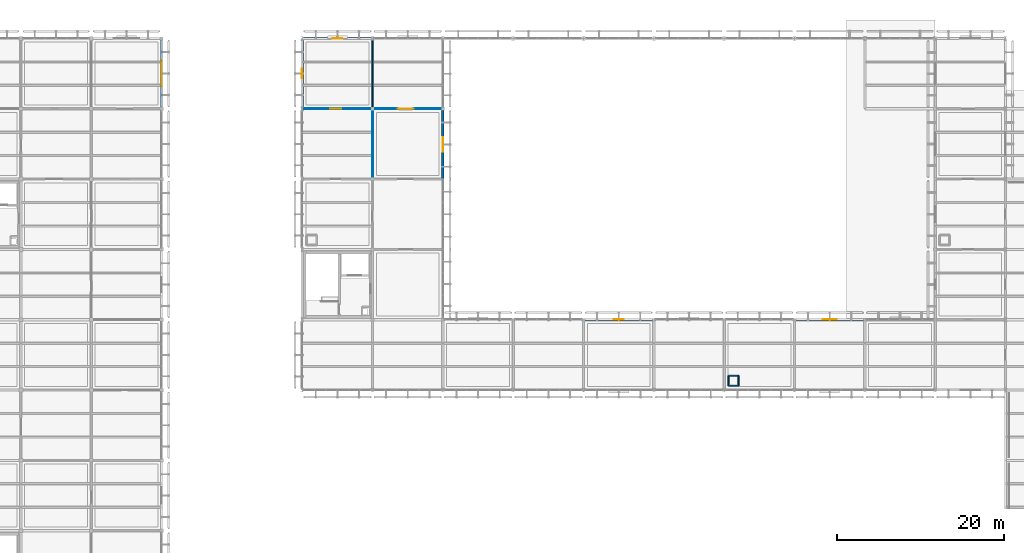
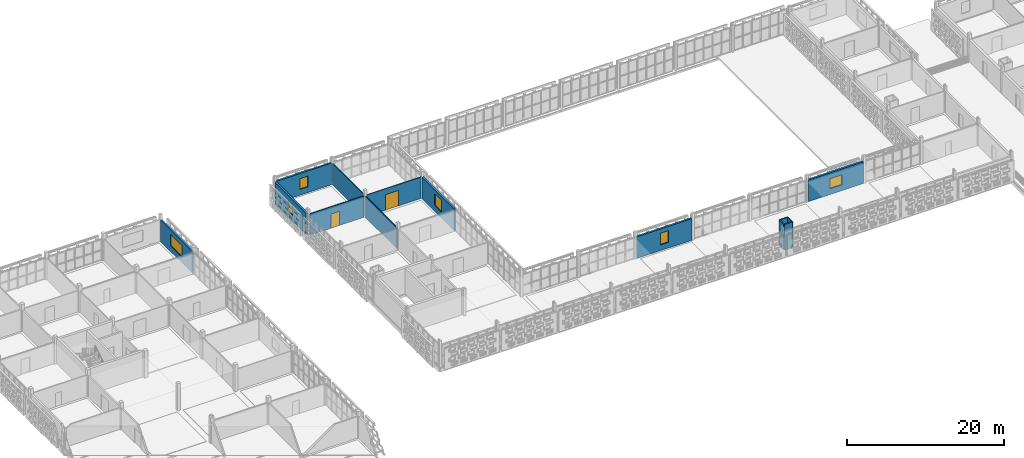
# One storey, part 88 of 140: 14 walls, 6 windows, 2 doors, 8 openings.
"""IFC4 building model written with IfcOpenShell, lengths in metres."""

import ifcopenshell
import ifcopenshell.guid

model = None  # the IFC model being written
_history = None  # IfcOwnerHistory: only IFC2X3 demands one
_inside = {}  # id of a spatial element -> (the spatial element, [elements in it])
_under = {}  # id of a project, library or spatial element -> (it, [spatial elements below it])
_declared = {}  # id of a project -> (the project, [libraries it declares])
_typed = {}  # id of a type object -> (the type object, [elements of that type])
_made_of = {}  # id of a material, layer set ... -> (it, [elements and type objects made of it])


def new_model(schema):
    """Start an empty IFC model of exactly this schema.

    Asked for "IFC4X3", IfcOpenShell would pick the latest addendum, in which some entities
    have other attributes; the version numbers below select the first issue.
    IFC2X3 requires an IfcOwnerHistory on every rooted entity: one is made here for all.
    """
    global model, _history
    if schema == "IFC4X3":
        model = ifcopenshell.file(schema_version=(4, 3, 0, 0))
    else:
        model = ifcopenshell.file(schema=schema)
    _inside.clear()
    _under.clear()
    _declared.clear()
    _typed.clear()
    _made_of.clear()
    _history = None
    if model.schema == "IFC2X3":
        org = make("IfcOrganization", Name="unknown")
        user = make(
            "IfcPersonAndOrganization",
            ThePerson=make("IfcPerson", FamilyName="unknown"),
            TheOrganization=org,
        )
        app = make(
            "IfcApplication",
            ApplicationDeveloper=org,
            Version="unknown",
            ApplicationFullName="unknown",
            ApplicationIdentifier="unknown",
        )
        _history = make(
            "IfcOwnerHistory",
            OwningUser=user,
            OwningApplication=app,
            ChangeAction="ADDED",
            CreationDate=0,
        )
    return model


def make(cls, **values):
    """One entity of the class cls with the attributes given. An attribute that is None is left unset."""
    return model.create_entity(
        cls, **{name: value for name, value in values.items() if value is not None}
    )


def rooted(cls, **values):
    """An entity with a GlobalId (a new one), such as an element, a storey or a relation."""
    return make(cls, GlobalId=ifcopenshell.guid.new(), OwnerHistory=_history, **values)


def si_unit(unit_type, name, prefix=None):
    """IfcSIUnit, for example si_unit("LENGTHUNIT", "METRE", prefix="MILLI")."""
    return make("IfcSIUnit", UnitType=unit_type, Prefix=prefix, Name=name)


def assignment(units):
    """IfcUnitAssignment: the units of a project."""
    return None if units is None else make("IfcUnitAssignment", Units=units)


def point(xyz):
    """IfcCartesianPoint."""
    return None if xyz is None else make("IfcCartesianPoint", Coordinates=xyz)


def direction(xyz):
    """IfcDirection."""
    return None if xyz is None else make("IfcDirection", DirectionRatios=xyz)


def frame(location, z_axis=None, x_axis=None):
    """IfcAxis2Placement3D, a coordinate frame: its origin and axes. An axis left out is left unset."""
    return make(
        "IfcAxis2Placement3D",
        Location=point(location),
        Axis=direction(z_axis),
        RefDirection=direction(x_axis),
    )


def frame_2d(location, x_axis=None):
    """IfcAxis2Placement2D, a coordinate frame in the plane: its origin and x axis."""
    return make(
        "IfcAxis2Placement2D", Location=point(location), RefDirection=direction(x_axis)
    )


def origin():
    """The frame at (0, 0, 0) with its axes left unset."""
    return frame((0.0, 0.0, 0.0))


def place(relative_to, where):
    """IfcLocalPlacement: puts the frame where relative to a parent placement (None: the world)."""
    return make(
        "IfcLocalPlacement", PlacementRelTo=relative_to, RelativePlacement=where
    )


def context(
    kind, dimensions, precision=None, world=None, true_north=None, identifier=None
):
    """IfcGeometricRepresentationContext, for example the 3D "Model" context."""
    return make(
        "IfcGeometricRepresentationContext",
        ContextIdentifier=identifier,
        ContextType=kind,
        CoordinateSpaceDimension=dimensions,
        Precision=precision,
        WorldCoordinateSystem=world,
        TrueNorth=true_north,
    )


def subcontext(parent, identifier, kind, view, scale=None):
    """IfcGeometricRepresentationSubContext, for example "Body" below "Model"."""
    return make(
        "IfcGeometricRepresentationSubContext",
        ContextIdentifier=identifier,
        ContextType=kind,
        ParentContext=parent,
        TargetScale=scale,
        TargetView=view,
    )


def project(units=None, contexts=None):
    """IfcProject with its units and contexts."""
    return rooted(
        "IfcProject",
        Name="project",
        RepresentationContexts=contexts,
        UnitsInContext=assignment(units),
    )


def spatial(cls, under=None, at=None, **own):
    """A site, building, storey or space (cls), placed at a placement, below another one or the project."""
    s = rooted(cls, ObjectPlacement=at, **own)
    if under is not None:
        _under.setdefault(under.id(), (under, []))[1].append(s)
    return s


def profile(cls, at=None, kind="AREA", **sizes):
    """A parametric profile (cls). Its sizes go by their IFC names, for example OverallWidth=200.0."""
    return make(cls, ProfileType=kind, Position=at, **sizes)


def rectangle(**sizes):
    """IfcRectangleProfileDef."""
    return profile("IfcRectangleProfileDef", **sizes)


def extrude(swept, where, along, depth):
    """IfcExtrudedAreaSolid: the profile swept, set in the frame where, extruded along a direction by depth."""
    return make(
        "IfcExtrudedAreaSolid",
        SweptArea=swept,
        Position=where,
        ExtrudedDirection=direction(along),
        Depth=depth,
    )


def shape(context_of_items, identifier, shape_type, items):
    """IfcShapeRepresentation: the items that make up one representation, for example the "Body"."""
    return make(
        "IfcShapeRepresentation",
        ContextOfItems=context_of_items,
        RepresentationIdentifier=identifier,
        RepresentationType=shape_type,
        Items=items,
    )


def material(Name=None, Category=None):
    """IfcMaterial."""
    return make("IfcMaterial", Name=Name, Category=Category)


def layer(
    of_material, thickness, ventilated=None, Name=None, Category=None, Priority=None
):
    """IfcMaterialLayer: one layer of a wall or slab, of a material (None: an air gap)."""
    return make(
        "IfcMaterialLayer",
        Material=of_material,
        LayerThickness=thickness,
        IsVentilated=ventilated,
        Name=Name,
        Category=Category,
        Priority=Priority,
    )


def layer_set(layers, Name=None):
    """IfcMaterialLayerSet."""
    return make("IfcMaterialLayerSet", MaterialLayers=layers, LayerSetName=Name)


def made_of(thing, what):
    """Note that an element or type object is made of a material, layer set ...; save() writes the relation."""
    if what is not None:
        _made_of.setdefault(what.id(), (what, []))[1].append(thing)
    return thing


def type_object(cls, material=None, **own):
    """A type object (cls), such as IfcWallType, which elements share."""
    return made_of(rooted(cls, **own), material)


def element(
    cls,
    number,
    at=None,
    inside=None,
    cuts=None,
    type_object=None,
    material=None,
    context=None,
    identifier="Body",
    shape_type=None,
    held_by="IfcProductDefinitionShape",
    body=None,
    shapes=None,
    **own,
):
    """One element of the class cls, such as IfcWall. Its Tag is "e" and its number.

    at: its placement. inside: the storey or other place that contains it. cuts: it is an
    opening in that element (IfcRelVoidsElement). A single representation is given by context,
    identifier, shape_type and body (its items); several are given by shapes. held_by: the class
    of the entity that holds the representations. save() writes the other relations.
    """
    e = rooted(cls, Tag="e%d" % number, ObjectPlacement=at, **own)
    if body is not None:
        shapes = [shape(context, identifier, shape_type, body)]
    if shapes is not None:
        e.Representation = make(held_by, Representations=shapes)
    if inside is not None:
        _inside.setdefault(inside.id(), (inside, []))[1].append(e)
    if cuts is not None:
        rooted(
            "IfcRelVoidsElement", RelatingBuildingElement=cuts, RelatedOpeningElement=e
        )
    if type_object is not None:
        _typed.setdefault(type_object.id(), (type_object, []))[1].append(e)
    return made_of(e, material)


def fill(opening, filler):
    """IfcRelFillsElement: the door or window that sits in an opening."""
    return rooted(
        "IfcRelFillsElement",
        RelatingOpeningElement=opening,
        RelatedBuildingElement=filler,
    )


def aggregate(whole, parts):
    """IfcRelAggregates: a whole, such as a stair, and the parts it consists of."""
    return rooted("IfcRelAggregates", RelatingObject=whole, RelatedObjects=parts)


def save(model, path):
    """Write the relations noted so far, then the file.

    IfcRelAggregates (storeys below a building ...), IfcRelContainedInSpatialStructure (elements
    in a storey), IfcRelDefinesByType, IfcRelAssociatesMaterial and IfcRelDeclares: one each for
    every whole, place, type object, material and project.
    """
    for whole, parts in _under.values():
        aggregate(whole, parts)
    for where, things in _inside.values():
        rooted(
            "IfcRelContainedInSpatialStructure",
            RelatedElements=things,
            RelatingStructure=where,
        )
    for kind, things in _typed.values():
        rooted("IfcRelDefinesByType", RelatedObjects=things, RelatingType=kind)
    for what, things in _made_of.values():
        rooted("IfcRelAssociatesMaterial", RelatedObjects=things, RelatingMaterial=what)
    for by, libraries in _declared.values():
        rooted("IfcRelDeclares", RelatingContext=by, RelatedDefinitions=libraries)
    model.write(path)


model = new_model("IFC4")

# Units and contexts
model_context = context("Model", 3, precision=1e-05, world=origin(), true_north=direction((0.0, 1.0)))
body_context = subcontext(model_context, "Body", "Model", "MODEL_VIEW")
ifc_project = project(units=[si_unit("LENGTHUNIT", "METRE"), si_unit("AREAUNIT", "SQUARE_METRE"), si_unit("VOLUMEUNIT", "CUBIC_METRE"), si_unit("PLANEANGLEUNIT", "RADIAN"), si_unit("MASSUNIT", "GRAM", prefix="KILO")], contexts=[model_context])

# Site, building, storey
site_placement = place(None, origin())
site = spatial("IfcSite", under=ifc_project, at=site_placement, CompositionType="ELEMENT")
building_placement = place(site_placement, origin())
building = spatial("IfcBuilding", under=site, at=building_placement, Name="Varnapada Polytechnic", CompositionType="ELEMENT")
storey_placement = place(building_placement, frame((0.0, 0.0, 13.800048828125)))
storey = spatial("IfcBuildingStorey", under=building, at=storey_placement, Name="L03", CompositionType="ELEMENT", Elevation=13.800048828125)

# Walls
ifc_material_1 = material(Name="Autoclaved Aerated Concrete Block AAC-600", Category="concrete")
ifc_layer_1 = layer(ifc_material_1, 0.14990234375)
ifc_layer_set_1 = layer_set([ifc_layer_1], Name="Autoclaved Aerated Concrete Block AAC-600")
wall_type_1 = type_object("IfcWallType", Name="Interior Wall IW-02", PredefinedType="PARTITIONING", material=ifc_layer_set_1)
for number, where, z_axis, x_axis, name in (
    (1, (101.320068359375, 84.52001953125, 0.0), (0.0, 0.0, 1.0), (1.0, 0.0, 0.0), "L03 enclosed service riser wall (13,11) S"),
    (2, (102.52001953125, 84.52001953125, 0.0), (0.0, 0.0, 1.0), (0.0, 1.0, 0.0), "L03 enclosed service riser wall (13,11) E"),
    (3, (102.52001953125, 85.719970703125, 0.0), (0.0, 0.0, 1.0), (-1.0, 0.0, 0.0), "L03 enclosed service riser wall (13,11) N"),
    (4, (101.320068359375, 85.719970703125, 0.0), (0.0, 0.0, 1.0), (0.0, -1.0, 0.0), "L03 enclosed service riser wall (13,11) W"),
):
    element("IfcWall", number, at=place(storey_placement, frame(where, z_axis=z_axis, x_axis=x_axis)), inside=storey, type_object=wall_type_1, Name=name, PredefinedType="PARTITIONING", context=body_context, shape_type="SweptSolid", body=[
        extrude(rectangle(XDim=1.199951171875, YDim=0.14990234375, at=frame_2d((0.60009765625, 0.0))), origin(), (0.0, 0.0, 1.0), 3.97998046875),
    ])
ifc_material_2 = material(Name="Glazed Timber-Framed Studio Screen", Category="wood")
ifc_layer_2 = layer(ifc_material_2, 0.110107421875)
ifc_layer_set_2 = layer_set([ifc_layer_2], Name="Glazed Timber-Framed Studio Screen")
wall_type_2 = type_object("IfcWallType", Name="Interior Wall IW-07", PredefinedType="PARTITIONING", material=ifc_layer_set_2)
wall_1_placement = place(storey_placement, frame((58.800048828125, 109.389892578125, 0.0), z_axis=(0.0, 0.0, 1.0), x_axis=(0.0, 1.0, 0.0)))
element("IfcWall", 5, at=wall_1_placement, inside=storey, type_object=wall_type_2, Name="L03 interior partition IW-L03-06-13-V", PredefinedType="PARTITIONING", context=body_context, shape_type="SweptSolid", body=[
    extrude(rectangle(XDim=8.010009765625, YDim=0.110107421875, at=frame_2d((4.0048828125, 0.0))), origin(), (0.0, 0.0, 1.0), 3.320068359375),
])

# Wall, opening, door
ifc_material_3 = material(Name="Operable Acoustic Seminar Partition")
ifc_layer_3 = layer(ifc_material_3, 0.10009765625)
ifc_layer_set_3 = layer_set([ifc_layer_3], Name="Operable Acoustic Seminar Partition")
wall_type_3 = type_object("IfcWallType", Name="Interior Wall IW-08", PredefinedType="MOVABLE", material=ifc_layer_set_3)
wall_2_placement = place(storey_placement, frame((50.64501953125, 117.60009765625, 0.0), z_axis=(0.0, 0.0, 1.0), x_axis=(1.0, 0.0, 0.0)))
wall_2 = element("IfcWall", 6, at=wall_2_placement, inside=storey, type_object=wall_type_3, Name="L03 interior partition IW-L03-06-13-H", PredefinedType="MOVABLE", context=body_context, shape_type="SweptSolid", body=[
    extrude(rectangle(XDim=7.955078125, YDim=0.10009765625, at=frame_2d((3.9775390625, 0.0))), origin(), (0.0, 0.0, 1.0), 3.320068359375),
])
opening_1_placement = place(wall_2_placement, frame((3.10009765625, 0.0, 0.0)))
opening_1 = element("IfcOpeningElement", 7, at=opening_1_placement, cuts=wall_2, Name="Opening D-1233", PredefinedType="OPENING", context=body_context, shape_type="SweptSolid", body=[
    extrude(rectangle(XDim=1.300048828125, YDim=2.199951171875, at=frame_2d((0.64990234375, 1.10009765625))), frame((0.0, 0.06005859375, 0.0), z_axis=(0.0, -1.0, 0.0), x_axis=(1.0, 0.0, 0.0)), (0.0, 0.0, 1.0), 0.1201171875),
])
ifc_material_4 = material(Name="Acoustic Laminated Timber Leaf", Category="wood")
door_type_1 = type_object("IfcDoorType", Name="Interior Door ID-11", OperationType="NOTDEFINED", PredefinedType="DOOR", material=ifc_material_4)
door_1_placement = place(opening_1_placement, origin())
door_1 = element("IfcDoor", 8, at=door_1_placement, inside=storey, type_object=door_type_1, Name="L03 interior room door D-1233", OperationType="SINGLE_SWING_RIGHT", OverallHeight=2.199951171875, OverallWidth=1.300048828125, PredefinedType="DOOR", context=body_context, shape_type="SweptSolid", body=[
    extrude(rectangle(XDim=1.300048828125, YDim=2.199951171875, at=frame_2d((0.64990234375, 1.10009765625))), frame((0.0, 0.02490234375, 0.0), z_axis=(0.0, -1.0, 0.0), x_axis=(1.0, 0.0, 0.0)), (0.0, 0.0, 1.0), 0.050048828125),
])
fill(opening_1, door_1)

# Wall
ifc_material_5 = material(Name="Calcium Silicate Acoustic Lab Partition")
ifc_layer_4 = layer(ifc_material_5, 0.135009765625)
ifc_layer_set_4 = layer_set([ifc_layer_4], Name="Calcium Silicate Acoustic Lab Partition")
wall_type_4 = type_object("IfcWallType", Name="Interior Wall IW-09", PredefinedType="PARTITIONING", material=ifc_layer_set_4)
wall_3_placement = place(storey_placement, frame((58.800048828125, 117.800048828125, 0.0), z_axis=(0.0, 0.0, 1.0), x_axis=(0.0, 1.0, 0.0)))
element("IfcWall", 9, at=wall_3_placement, inside=storey, type_object=wall_type_4, Name="L03 interior partition IW-L03-06-14-V", PredefinedType="PARTITIONING", context=body_context, shape_type="SweptSolid", body=[
    extrude(rectangle(XDim=7.954833984375, YDim=0.135009765625, at=frame_2d((3.9775390625, 0.0))), origin(), (0.0, 0.0, 1.0), 3.320068359375),
])

# Wall, opening, door
ifc_material_6 = material(Name="Timber-Stud Studio Critique Partition", Category="wood")
ifc_layer_5 = layer(ifc_material_6, 0.114990234375)
ifc_layer_set_5 = layer_set([ifc_layer_5], Name="Timber-Stud Studio Critique Partition")
wall_type_5 = type_object("IfcWallType", Name="Interior Wall IW-12", PredefinedType="PARTITIONING", material=ifc_layer_set_5)
wall_4_placement = place(storey_placement, frame((59.0, 117.60009765625, 0.0), z_axis=(0.0, 0.0, 1.0), x_axis=(1.0, 0.0, 0.0)))
wall_4 = element("IfcWall", 10, at=wall_4_placement, inside=storey, type_object=wall_type_5, Name="L03 interior partition IW-L03-07-13-H", PredefinedType="PARTITIONING", context=body_context, shape_type="SweptSolid", body=[
    extrude(rectangle(XDim=8.0, YDim=0.114990234375, at=frame_2d((4.0, 0.0))), origin(), (0.0, 0.0, 1.0), 3.320068359375),
])
opening_2_placement = place(wall_4_placement, frame((2.800048828125, 0.0, 0.0)))
opening_2 = element("IfcOpeningElement", 11, at=opening_2_placement, cuts=wall_4, Name="Opening D-1236", PredefinedType="OPENING", context=body_context, shape_type="SweptSolid", body=[
    extrude(rectangle(XDim=1.89990234375, YDim=2.39990234375, at=frame_2d((0.949951171875, 1.199951171875))), frame((0.0, 0.0673828125, 0.0), z_axis=(0.0, -1.0, 0.0), x_axis=(1.0, 0.0, 0.0)), (0.0, 0.0, 1.0), 0.135009765625),
])
ifc_material_7 = material(Name="Heavy Workshop Double Steel Door", Category="steel")
door_type_2 = type_object("IfcDoorType", Name="Interior Door ID-14", OperationType="NOTDEFINED", PredefinedType="DOOR", material=ifc_material_7)
door_2_placement = place(opening_2_placement, origin())
door_2 = element("IfcDoor", 12, at=door_2_placement, inside=storey, type_object=door_type_2, Name="L03 interior room door D-1236", OperationType="SINGLE_SWING_LEFT", OverallHeight=2.39990234375, OverallWidth=1.89990234375, PredefinedType="DOOR", context=body_context, shape_type="SweptSolid", body=[
    extrude(rectangle(XDim=1.89990234375, YDim=2.39990234375, at=frame_2d((0.949951171875, 1.199951171875))), frame((0.0, 0.02490234375, 0.0), z_axis=(0.0, -1.0, 0.0), x_axis=(1.0, 0.0, 0.0)), (0.0, 0.0, 1.0), 0.050048828125),
])
fill(opening_2, door_2)

# Wall, opening, window
ifc_material_8 = material(Name="Precast concrete C40/50", Category="concrete")
ifc_layer_6 = layer(ifc_material_8, 0.280029296875)
ifc_layer_set_6 = layer_set([ifc_layer_6], Name="Precast concrete C40/50")
wall_type_6 = type_object("IfcWallType", Name="Wall EW-02", PredefinedType="SOLIDWALL", material=ifc_layer_set_6)
wall_5_placement = place(storey_placement, frame((50.550048828125, 126.0, 0.0), z_axis=(0.0, 0.0, 1.0), x_axis=(1.0, 0.0, 0.0)))
wall_5 = element("IfcWall", 13, at=wall_5_placement, inside=storey, type_object=wall_type_6, Name="L03 exterior wall EW-02 (46)", PredefinedType="SOLIDWALL", context=body_context, shape_type="SweptSolid", body=[
    extrude(rectangle(XDim=8.099853515625, YDim=0.280029296875, at=frame_2d((4.0498046875, 0.0))), origin(), (0.0, 0.0, 1.0), 3.35986328125),
])
opening_3_placement = place(wall_5_placement, frame((3.47509765625, 0.0, 0.89990234375)))
opening_3 = element("IfcOpeningElement", 14, at=opening_3_placement, cuts=wall_5, Name="Opening WN-29", PredefinedType="OPENING", context=body_context, shape_type="SweptSolid", body=[
    extrude(rectangle(XDim=1.14990234375, YDim=1.64990234375, at=frame_2d((0.574951171875, 0.824951171875))), frame((0.0, 0.14990234375, 0.0), z_axis=(0.0, -1.0, 0.0), x_axis=(1.0, 0.0, 0.0)), (0.0, 0.0, 1.0), 0.300048828125),
])
ifc_material_9 = material(Name="Double low-E laminated glass", Category="glass")
window_type_1 = type_object("IfcWindowType", Name="Window WN-29", PartitioningType="SINGLE_PANEL", PredefinedType="WINDOW", material=ifc_material_9)
window_1_placement = place(opening_3_placement, origin())
window_1 = element("IfcWindow", 15, at=window_1_placement, inside=storey, type_object=window_type_1, Name="L03 window WN-29 (148)", OverallHeight=1.64990234375, OverallWidth=1.14990234375, PartitioningType="SINGLE_PANEL", PredefinedType="WINDOW", context=body_context, shape_type="SweptSolid", body=[
    extrude(rectangle(XDim=1.14990234375, YDim=1.64990234375, at=frame_2d((0.574951171875, 0.824951171875))), frame((0.0, 0.030029296875, 0.0), z_axis=(0.0, -1.0, 0.0), x_axis=(1.0, 0.0, 0.0)), (0.0, 0.0, 1.0), 0.06005859375),
])
fill(opening_3, window_1)

wall_6_placement = place(storey_placement, frame((50.39990234375, 117.824951171875, 0.0), z_axis=(0.0, 0.0, 1.0), x_axis=(0.0, 1.0, 0.0)))
wall_6 = element("IfcWall", 16, at=wall_6_placement, inside=storey, type_object=wall_type_6, Name="L03 exterior wall EW-02 (47)", PredefinedType="SOLIDWALL", context=body_context, shape_type="SweptSolid", body=[
    extrude(rectangle(XDim=7.97509765625, YDim=0.280029296875, at=frame_2d((3.987548828125, 0.0))), origin(), (0.0, 0.0, 1.0), 3.35986328125),
])
opening_4_placement = place(wall_6_placement, frame((3.41259765625, 0.0, 0.89990234375)))
opening_4 = element("IfcOpeningElement", 17, at=opening_4_placement, cuts=wall_6, Name="Opening WN-29", PredefinedType="OPENING", context=body_context, shape_type="SweptSolid", body=[
    extrude(rectangle(XDim=1.14990234375, YDim=1.64990234375, at=frame_2d((0.574951171875, 0.824951171875))), frame((0.0, 0.14990234375, 0.0), z_axis=(0.0, -1.0, 0.0), x_axis=(1.0, 0.0, 0.0)), (0.0, 0.0, 1.0), 0.300048828125),
])
window_2_placement = place(opening_4_placement, origin())
window_2 = element("IfcWindow", 18, at=window_2_placement, inside=storey, type_object=window_type_1, Name="L03 window WN-29 (149)", OverallHeight=1.64990234375, OverallWidth=1.14990234375, PartitioningType="SINGLE_PANEL", PredefinedType="WINDOW", context=body_context, shape_type="SweptSolid", body=[
    extrude(rectangle(XDim=1.14990234375, YDim=1.64990234375, at=frame_2d((0.574951171875, 0.824951171875))), frame((0.0, 0.030029296875, 0.0), z_axis=(0.0, -1.0, 0.0), x_axis=(1.0, 0.0, 0.0)), (0.0, 0.0, 1.0), 0.06005859375),
])
fill(opening_4, window_2)

wall_7_placement = place(storey_placement, frame((67.199951171875, 117.419921875, 0.0), z_axis=(0.0, 0.0, 1.0), x_axis=(0.0, -1.0, 0.0)))
wall_7 = element("IfcWall", 19, at=wall_7_placement, inside=storey, type_object=wall_type_6, Name="L03 exterior wall EW-02 (51)", PredefinedType="SOLIDWALL", context=body_context, shape_type="SweptSolid", body=[
    extrude(rectangle(XDim=8.219970703125, YDim=0.280029296875, at=frame_2d((4.10986328125, 0.0))), origin(), (0.0, 0.0, 1.0), 3.35986328125),
])
opening_5_placement = place(wall_7_placement, frame((3.235107421875, 0.0, 0.89990234375)))
opening_5 = element("IfcOpeningElement", 20, at=opening_5_placement, cuts=wall_7, Name="Opening WN-31", PredefinedType="OPENING", context=body_context, shape_type="SweptSolid", body=[
    extrude(rectangle(XDim=1.75, YDim=1.85009765625, at=frame_2d((0.875, 0.925048828125))), frame((0.0, 0.14990234375, 0.0), z_axis=(0.0, -1.0, 0.0), x_axis=(1.0, 0.0, 0.0)), (0.0, 0.0, 1.0), 0.300048828125),
])
window_type_2 = type_object("IfcWindowType", Name="Window WN-31", PartitioningType="SINGLE_PANEL", PredefinedType="WINDOW", material=ifc_material_9)
window_3_placement = place(opening_5_placement, origin())
window_3 = element("IfcWindow", 21, at=window_3_placement, inside=storey, type_object=window_type_2, Name="L03 window WN-31 (150)", OverallHeight=1.85009765625, OverallWidth=1.75, PartitioningType="SINGLE_PANEL", PredefinedType="WINDOW", context=body_context, shape_type="SweptSolid", body=[
    extrude(rectangle(XDim=1.75, YDim=1.85009765625, at=frame_2d((0.875, 0.925048828125))), frame((0.0, 0.030029296875, 0.0), z_axis=(0.0, -1.0, 0.0), x_axis=(1.0, 0.0, 0.0)), (0.0, 0.0, 1.0), 0.06005859375),
])
fill(opening_5, window_3)

wall_8_placement = place(storey_placement, frame((84.169921875, 92.39990234375, 0.0), z_axis=(0.0, 0.0, 1.0), x_axis=(1.0, 0.0, 0.0)))
wall_8 = element("IfcWall", 22, at=wall_8_placement, inside=storey, type_object=wall_type_6, Name="L03 exterior wall EW-02 (59)", PredefinedType="SOLIDWALL", context=body_context, shape_type="SweptSolid", body=[
    extrude(rectangle(XDim=8.06005859375, YDim=0.280029296875, at=frame_2d((4.030029296875, 0.0))), origin(), (0.0, 0.0, 1.0), 3.35986328125),
])
opening_6_placement = place(wall_8_placement, frame((3.429931640625, 0.0, 0.89990234375)))
opening_6 = element("IfcOpeningElement", 23, at=opening_6_placement, cuts=wall_8, Name="Opening WN-01", PredefinedType="OPENING", context=body_context, shape_type="SweptSolid", body=[
    extrude(rectangle(XDim=1.199951171875, YDim=1.800048828125, at=frame_2d((0.60009765625, 0.89990234375))), frame((0.0, 0.14990234375, 0.0), z_axis=(0.0, -1.0, 0.0), x_axis=(1.0, 0.0, 0.0)), (0.0, 0.0, 1.0), 0.300048828125),
])
window_type_3 = type_object("IfcWindowType", Name="Window WN-01", PartitioningType="SINGLE_PANEL", PredefinedType="WINDOW", material=ifc_material_9)
window_4_placement = place(opening_6_placement, origin())
window_4 = element("IfcWindow", 24, at=window_4_placement, inside=storey, type_object=window_type_3, Name="L03 window WN-01 (151)", OverallHeight=1.800048828125, OverallWidth=1.199951171875, PartitioningType="SINGLE_PANEL", PredefinedType="WINDOW", context=body_context, shape_type="SweptSolid", body=[
    extrude(rectangle(XDim=1.199951171875, YDim=1.800048828125, at=frame_2d((0.60009765625, 0.89990234375))), frame((0.0, 0.030029296875, 0.0), z_axis=(0.0, -1.0, 0.0), x_axis=(1.0, 0.0, 0.0)), (0.0, 0.0, 1.0), 0.06005859375),
])
fill(opening_6, window_4)

wall_9_placement = place(storey_placement, frame((109.3701171875, 92.39990234375, 0.0), z_axis=(0.0, 0.0, 1.0), x_axis=(1.0, 0.0, 0.0)))
wall_9 = element("IfcWall", 25, at=wall_9_placement, inside=storey, type_object=wall_type_6, Name="L03 exterior wall EW-02 (65)", PredefinedType="SOLIDWALL", context=body_context, shape_type="SweptSolid", body=[
    extrude(rectangle(XDim=8.059814453125, YDim=0.280029296875, at=frame_2d((4.02978515625, 0.0))), origin(), (0.0, 0.0, 1.0), 3.35986328125),
])
opening_7_placement = place(wall_9_placement, frame((3.179931640625, 0.0, 0.89990234375)))
opening_7 = element("IfcOpeningElement", 26, at=opening_7_placement, cuts=wall_9, Name="Opening WN-16", PredefinedType="OPENING", context=body_context, shape_type="SweptSolid", body=[
    extrude(rectangle(XDim=1.699951171875, YDim=1.550048828125, at=frame_2d((0.85009765625, 0.77490234375))), frame((0.0, 0.14990234375, 0.0), z_axis=(0.0, -1.0, 0.0), x_axis=(1.0, 0.0, 0.0)), (0.0, 0.0, 1.0), 0.300048828125),
])
window_type_4 = type_object("IfcWindowType", Name="Window WN-16", PartitioningType="SINGLE_PANEL", PredefinedType="WINDOW", material=ifc_material_9)
window_5_placement = place(opening_7_placement, origin())
window_5 = element("IfcWindow", 27, at=window_5_placement, inside=storey, type_object=window_type_4, Name="L03 window WN-16 (152)", OverallHeight=1.550048828125, OverallWidth=1.699951171875, PartitioningType="SINGLE_PANEL", PredefinedType="WINDOW", context=body_context, shape_type="SweptSolid", body=[
    extrude(rectangle(XDim=1.699951171875, YDim=1.550048828125, at=frame_2d((0.85009765625, 0.77490234375))), frame((0.0, 0.030029296875, 0.0), z_axis=(0.0, -1.0, 0.0), x_axis=(1.0, 0.0, 0.0)), (0.0, 0.0, 1.0), 0.06005859375),
])
fill(opening_7, window_5)

ifc_layer_7 = layer(ifc_material_8, 0.239990234375)
ifc_layer_set_7 = layer_set([ifc_layer_7], Name="Precast concrete C40/50")
wall_type_7 = type_object("IfcWallType", Name="Wall EW-06", PredefinedType="SOLIDWALL", material=ifc_layer_set_7)
wall_10_placement = place(storey_placement, frame((33.60009765625, 125.81005859375, 0.0), z_axis=(0.0, 0.0, 1.0), x_axis=(0.0, -1.0, 0.0)))
wall_10 = element("IfcWall", 28, at=wall_10_placement, inside=storey, type_object=wall_type_7, Name="L03 exterior wall EW-06 (32)", PredefinedType="SOLIDWALL", context=body_context, shape_type="SweptSolid", body=[
    extrude(rectangle(XDim=8.0, YDim=0.239990234375, at=frame_2d((4.0, 0.0))), origin(), (0.0, 0.0, 1.0), 3.35986328125),
])
opening_8_placement = place(wall_10_placement, frame((2.5, 0.0, 0.89990234375)))
opening_8 = element("IfcOpeningElement", 29, at=opening_8_placement, cuts=wall_10, Name="Opening WN-14", PredefinedType="OPENING", context=body_context, shape_type="SweptSolid", body=[
    extrude(rectangle(XDim=3.0, YDim=1.800048828125, at=frame_2d((1.5, 0.89990234375))), frame((0.0, 0.1298828125, 0.0), z_axis=(0.0, -1.0, 0.0), x_axis=(1.0, 0.0, 0.0)), (0.0, 0.0, 1.0), 0.260009765625),
])
window_type_5 = type_object("IfcWindowType", Name="Window WN-14", PartitioningType="SINGLE_PANEL", PredefinedType="WINDOW", material=ifc_material_9)
window_6_placement = place(opening_8_placement, origin())
window_6 = element("IfcWindow", 30, at=window_6_placement, inside=storey, type_object=window_type_5, Name="L03 window WN-14 (145)", OverallHeight=1.800048828125, OverallWidth=3.0, PartitioningType="SINGLE_PANEL", PredefinedType="WINDOW", context=body_context, shape_type="SweptSolid", body=[
    extrude(rectangle(XDim=3.0, YDim=1.800048828125, at=frame_2d((1.5, 0.89990234375))), frame((0.0, 0.030029296875, 0.0), z_axis=(0.0, -1.0, 0.0), x_axis=(1.0, 0.0, 0.0)), (0.0, 0.0, 1.0), 0.06005859375),
])
fill(opening_8, window_6)

save(model, "model.ifc")
